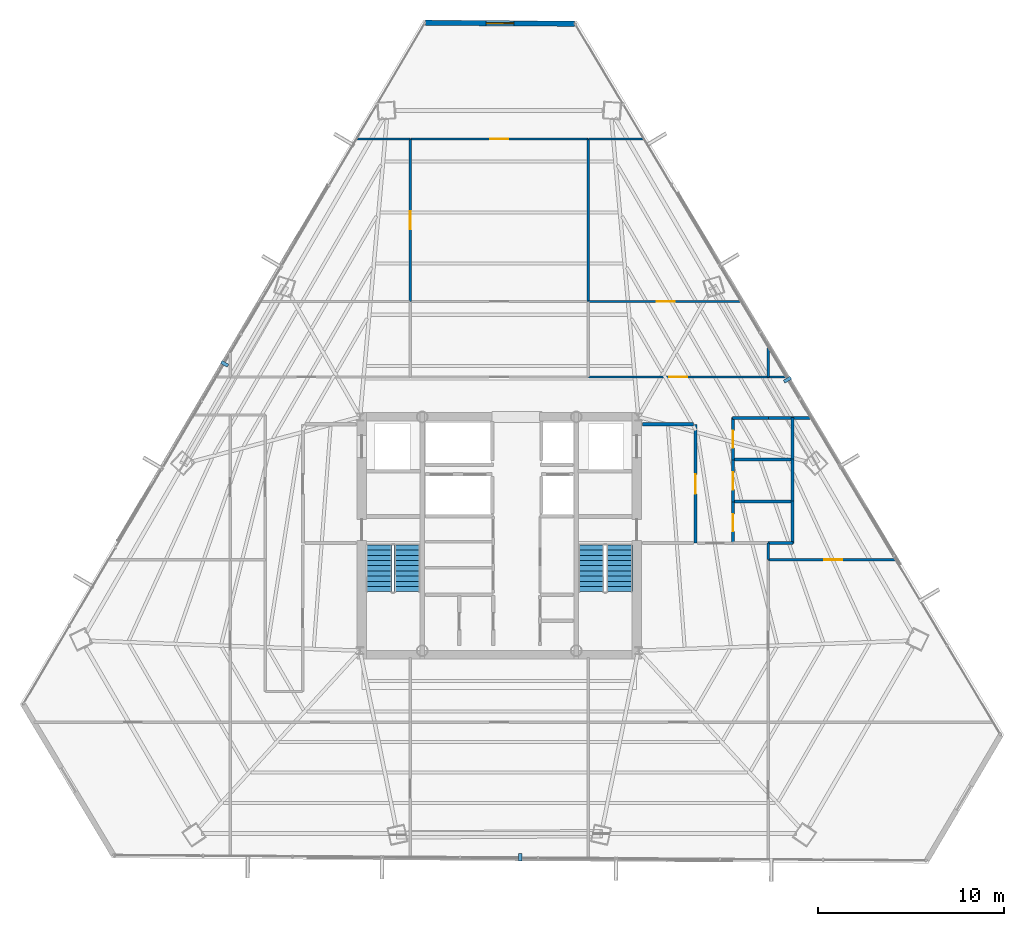
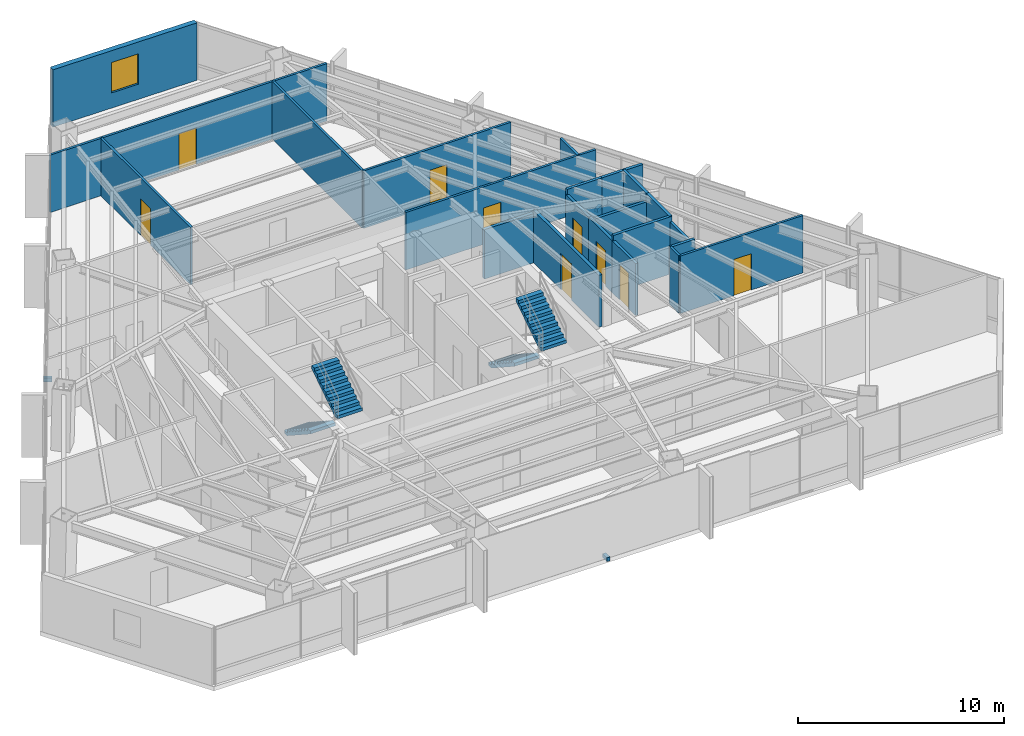
# One storey, part 38 of 41: 24 walls, 9 doors, 4 stair flights, 3 discrete accessories, 1 window, 10 openings, 2 elements without a shape of their own.
"""IFC4 building model written with IfcOpenShell, lengths in metres."""

from ifc_helpers import new_model, si_unit, direction, frame, frame_2d, origin, origin_2d, place, context, subcontext, project, spatial, polyline, rectangle, outline, extrude, source, transform, mapped, material, layer, layer_set, type_object, type_shapes, element, fill, aggregate, save


model = new_model("IFC4")

# Units and contexts
model_context = context("Model", 3, precision=1e-05, world=origin(), true_north=direction((0.0, 1.0)))
body_context = subcontext(model_context, "Body", "Model", "MODEL_VIEW")
ifc_project = project(units=[si_unit("LENGTHUNIT", "METRE"), si_unit("AREAUNIT", "SQUARE_METRE"), si_unit("VOLUMEUNIT", "CUBIC_METRE"), si_unit("PLANEANGLEUNIT", "RADIAN"), si_unit("MASSUNIT", "GRAM", prefix="KILO")], contexts=[model_context])

# Site, building, storey
site_placement = place(None, origin())
site = spatial("IfcSite", under=ifc_project, at=site_placement, CompositionType="ELEMENT")
building_placement = place(site_placement, origin())
building = spatial("IfcBuilding", under=site, at=building_placement, Name="Caelisora Broadcast Tower", CompositionType="ELEMENT")
storey_placement = place(building_placement, frame((0.0, 0.0, 162.14990234375)))
storey = spatial("IfcBuildingStorey", under=building, at=storey_placement, Name="L42", CompositionType="ELEMENT", Elevation=162.14990234375)

# Wall, opening, window
ifc_material_1 = material(Name="Insulated Terracotta Spandrel Wall System", Category="masonry")
ifc_layer_1 = layer(ifc_material_1, 0.280029296875, Name="Insulated Terracotta Spandrel Wall System")
ifc_layer_set_1 = layer_set([ifc_layer_1], Name="Insulated Terracotta Spandrel Wall System")
wall_type_1 = type_object("IfcWallType", Name="EW1", PredefinedType="STANDARD", material=ifc_layer_set_1)
wall_1_placement = place(storey_placement, frame((34.034912109375, 51.24072265625, 0.0), z_axis=(0.0, 0.0, 1.0), x_axis=(0.999979393636, -0.006419680897, 0.0)))
wall_1 = element("IfcWall", 1, at=wall_1_placement, inside=storey, type_object=wall_type_1, Name="L42 exterior envelope wall EW1", PredefinedType="STANDARD", context=body_context, shape_type="SweptSolid", body=[
    extrude(rectangle(XDim=8.0244140625, YDim=0.280029296875, at=frame_2d((4.01220703125, 0.0))), origin(), (0.0, 0.0, 1.0), 3.400146484375),
])
opening_1_placement = place(wall_1_placement, frame((3.260009765625, 0.0, 0.89990234375)))
opening_1 = element("IfcOpeningElement", 2, at=opening_1_placement, cuts=wall_1, Name="Opening W02", PredefinedType="OPENING", context=body_context, shape_type="SweptSolid", body=[
    extrude(rectangle(XDim=1.5, YDim=1.800048828125, at=frame_2d((0.75, 0.89990234375))), frame((0.0, 0.152099609375, 0.0), z_axis=(0.0, -1.0, 0.0), x_axis=(1.0, 0.0, 0.0)), (0.0, 0.0, 1.0), 0.303955078125),
])
ifc_material_2 = material(Name="Double Glazed Terracotta-Framed Vision Window", Category="glass")
window_type = type_object("IfcWindowType", Name="W02", PartitioningType="SINGLE_PANEL", PredefinedType="WINDOW", material=ifc_material_2)
window_placement = place(opening_1_placement, origin())
window = element("IfcWindow", 3, at=window_placement, inside=storey, type_object=window_type, Name="L42 window W02 (L42-WN-CH8)", OverallHeight=1.800048828125, OverallWidth=1.5, PartitioningType="SINGLE_PANEL", PredefinedType="WINDOW", context=body_context, shape_type="SweptSolid", body=[
    extrude(rectangle(XDim=1.5, YDim=1.800048828125, at=frame_2d((0.75, 0.89990234375))), frame((0.0, 0.030029296875, 0.0), z_axis=(0.0, -1.0, 0.0), x_axis=(1.0, 0.0, 0.0)), (0.0, 0.0, 1.0), 0.06005859375),
])
fill(opening_1, window)

# Wall, opening, door
ifc_material_3 = material(Name="Fire-Rated Gypsum Shaft and Compartment Wall", Category="gypsum")
ifc_layer_2 = layer(ifc_material_3, 0.179931640625, Name="Fire-Rated Gypsum Shaft and Compartment Wall")
ifc_layer_set_2 = layer_set([ifc_layer_2], Name="Fire-Rated Gypsum Shaft and Compartment Wall")
wall_type_2 = type_object("IfcWallType", Name="PW2", PredefinedType="PARTITIONING", material=ifc_layer_set_2)
wall_2_placement = place(storey_placement, frame((48.580078125, 23.199951171875, 0.0), z_axis=(0.0, 0.0, 1.0), x_axis=(0.0, 1.0, 0.0)))
wall_2 = element("IfcWall", 4, at=wall_2_placement, inside=storey, type_object=wall_type_2, Name="L42 fire compartment wall PW2", PredefinedType="PARTITIONING", context=body_context, shape_type="SweptSolid", body=[
    extrude(rectangle(XDim=6.400146484375, YDim=0.179931640625, at=frame_2d((3.2001953125, 0.0))), origin(), (0.0, 0.0, 1.0), 3.077880859375),
])
opening_2_placement = place(wall_2_placement, frame((2.64990234375, 0.0, 0.0)))
opening_2 = element("IfcOpeningElement", 5, at=opening_2_placement, cuts=wall_2, Name="Opening FD02", PredefinedType="OPENING", context=body_context, shape_type="SweptSolid", body=[
    extrude(rectangle(XDim=1.050048828125, YDim=2.14990234375, at=frame_2d((0.52490234375, 1.074951171875))), frame((0.0, 0.10205078125, 0.0), z_axis=(0.0, -1.0, 0.0), x_axis=(1.0, 0.0, 0.0)), (0.0, 0.0, 1.0), 0.203857421875),
])
ifc_material_4 = material(Name="Single-Leaf Steel Fire Lobby Door", Category="steel")
door_type_1 = type_object("IfcDoorType", Name="FD02", OperationType="NOTDEFINED", PredefinedType="DOOR", material=ifc_material_4)
door_1_placement = place(opening_2_placement, origin())
door_1 = element("IfcDoor", 6, at=door_1_placement, inside=storey, type_object=door_type_1, Name="L42 door FD02 (L42-DR-P04D1)", OperationType="SINGLE_SWING_LEFT", OverallHeight=2.14990234375, OverallWidth=1.050048828125, PredefinedType="DOOR", context=body_context, shape_type="SweptSolid", body=[
    extrude(rectangle(XDim=1.050048828125, YDim=2.14990234375, at=frame_2d((0.52490234375, 1.074951171875))), frame((0.0, 0.02490234375, 0.0), z_axis=(0.0, -1.0, 0.0), x_axis=(1.0, 0.0, 0.0)), (0.0, 0.0, 1.0), 0.050048828125),
])
fill(opening_2, door_1)

# Wall
wall_3_placement = place(storey_placement, frame((45.719970703125, 29.60009765625, 0.0), z_axis=(0.0, 0.0, 1.0), x_axis=(1.0, 0.0, 0.0)))
element("IfcWall", 7, at=wall_3_placement, inside=storey, type_object=wall_type_2, Name="L42 fire compartment wall PW2", PredefinedType="PARTITIONING", context=body_context, shape_type="SweptSolid", body=[
    extrude(rectangle(XDim=2.760009765625, YDim=0.179931640625, at=frame_2d((1.3798828125, 0.0))), origin(), (0.0, 0.0, 1.0), 2.9248046875),
])

# Wall, opening, door
ifc_material_5 = material(Name="Acoustic Steel-Stud Plasterboard Partition", Category="gypsum")
ifc_layer_3 = layer(ifc_material_5, 0.1298828125, Name="Acoustic Steel-Stud Plasterboard Partition")
ifc_layer_set_3 = layer_set([ifc_layer_3], Name="Acoustic Steel-Stud Plasterboard Partition")
wall_type_3 = type_object("IfcWallType", Name="PW3", PredefinedType="PARTITIONING", material=ifc_layer_set_3)
wall_4_placement = place(storey_placement, frame((42.804931640625, 32.14990234375, 0.0), z_axis=(0.0, 0.0, 1.0), x_axis=(1.0, 0.0, 0.0)))
wall_4 = element("IfcWall", 8, at=wall_4_placement, inside=storey, type_object=wall_type_3, Name="L42 internal partition PW3", PredefinedType="PARTITIONING", context=body_context, shape_type="SweptSolid", body=[
    extrude(rectangle(XDim=10.6591796875, YDim=0.1298828125, at=frame_2d((5.32958984375, 0.0))), origin(), (0.0, 0.0, 1.0), 3.400146484375),
])
opening_3_placement = place(wall_4_placement, frame((4.364990234375, 0.0, 0.0)))
opening_3 = element("IfcOpeningElement", 9, at=opening_3_placement, cuts=wall_4, Name="Opening D01", PredefinedType="OPENING", context=body_context, shape_type="SweptSolid", body=[
    extrude(rectangle(XDim=0.9599609375, YDim=2.14990234375, at=frame_2d((0.47998046875, 1.074951171875))), frame((0.0, 0.076904296875, 0.0), z_axis=(0.0, -1.0, 0.0), x_axis=(1.0, 0.0, 0.0)), (0.0, 0.0, 1.0), 0.15380859375),
])
ifc_material_6 = material(Name="Solid-Core Timber Acoustic Office Door", Category="wood")
door_type_2 = type_object("IfcDoorType", Name="D01", OperationType="NOTDEFINED", PredefinedType="DOOR", material=ifc_material_6)
door_2_placement = place(opening_3_placement, origin())
door_2 = element("IfcDoor", 10, at=door_2_placement, inside=storey, type_object=door_type_2, Name="L42 door D01 (L42-DR-P35D1)", OperationType="SINGLE_SWING_LEFT", OverallHeight=2.14990234375, OverallWidth=0.9599609375, PredefinedType="DOOR", context=body_context, shape_type="SweptSolid", body=[
    extrude(rectangle(XDim=0.9599609375, YDim=2.14990234375, at=frame_2d((0.47998046875, 1.074951171875))), frame((0.0, 0.02490234375, 0.0), z_axis=(0.0, -1.0, 0.0), x_axis=(1.0, 0.0, 0.0)), (0.0, 0.0, 1.0), 0.050048828125),
])
fill(opening_3, door_2)

wall_5_placement = place(storey_placement, frame((33.205078125, 44.97998046875, 0.0), z_axis=(0.0, 0.0, 1.0), x_axis=(1.0, 0.0, 0.0)))
wall_5 = element("IfcWall", 11, at=wall_5_placement, inside=storey, type_object=wall_type_3, Name="L42 internal partition PW3", PredefinedType="PARTITIONING", context=body_context, shape_type="SweptSolid", body=[
    extrude(rectangle(XDim=9.58984375, YDim=0.1298828125, at=frame_2d((4.794921875, 0.0))), origin(), (0.0, 0.0, 1.0), 3.400146484375),
])
opening_4_placement = place(wall_5_placement, frame((4.31494140625, 0.0, 0.0)))
opening_4 = element("IfcOpeningElement", 12, at=opening_4_placement, cuts=wall_5, Name="Opening D01", PredefinedType="OPENING", context=body_context, shape_type="SweptSolid", body=[
    extrude(rectangle(XDim=0.9599609375, YDim=2.14990234375, at=frame_2d((0.47998046875, 1.074951171875))), frame((0.0, 0.076904296875, 0.0), z_axis=(0.0, -1.0, 0.0), x_axis=(1.0, 0.0, 0.0)), (0.0, 0.0, 1.0), 0.15380859375),
])
door_3_placement = place(opening_4_placement, origin())
door_3 = element("IfcDoor", 13, at=door_3_placement, inside=storey, type_object=door_type_2, Name="L42 door D01 (L42-DR-P40D1)", OperationType="SINGLE_SWING_RIGHT", OverallHeight=2.14990234375, OverallWidth=0.9599609375, PredefinedType="DOOR", context=body_context, shape_type="SweptSolid", body=[
    extrude(rectangle(XDim=0.9599609375, YDim=2.14990234375, at=frame_2d((0.47998046875, 1.074951171875))), frame((0.0, 0.02490234375, 0.0), z_axis=(0.0, -1.0, 0.0), x_axis=(1.0, 0.0, 0.0)), (0.0, 0.0, 1.0), 0.050048828125),
])
fill(opening_4, door_3)

# Wall
wall_6_placement = place(storey_placement, frame((42.800048828125, 36.22509765625, 0.0), z_axis=(0.0, 0.0, 1.0), x_axis=(0.0, 1.0, 0.0)))
element("IfcWall", 14, at=wall_6_placement, inside=storey, type_object=wall_type_3, Name="L42 internal partition PW3", PredefinedType="PARTITIONING", context=body_context, shape_type="SweptSolid", body=[
    extrude(rectangle(XDim=8.75, YDim=0.1298828125, at=frame_2d((4.375, 0.0))), origin(), (0.0, 0.0, 1.0), 3.400146484375),
])

# Wall, opening, door
wall_7_placement = place(storey_placement, frame((33.199951171875, 36.22509765625, 0.0), z_axis=(0.0, 0.0, 1.0), x_axis=(0.0, 1.0, 0.0)))
wall_7 = element("IfcWall", 15, at=wall_7_placement, inside=storey, type_object=wall_type_3, Name="L42 internal partition PW3", PredefinedType="PARTITIONING", context=body_context, shape_type="SweptSolid", body=[
    extrude(rectangle(XDim=8.75, YDim=0.1298828125, at=frame_2d((4.375, 0.0))), origin(), (0.0, 0.0, 1.0), 3.400146484375),
])
opening_5_placement = place(wall_7_placement, frame((3.89501953125, 0.0, 0.0)))
opening_5 = element("IfcOpeningElement", 16, at=opening_5_placement, cuts=wall_7, Name="Opening D01", PredefinedType="OPENING", context=body_context, shape_type="SweptSolid", body=[
    extrude(rectangle(XDim=0.9599609375, YDim=2.14990234375, at=frame_2d((0.47998046875, 1.074951171875))), frame((0.0, 0.076904296875, 0.0), z_axis=(0.0, -1.0, 0.0), x_axis=(1.0, 0.0, 0.0)), (0.0, 0.0, 1.0), 0.15380859375),
])
door_4_placement = place(opening_5_placement, origin())
door_4 = element("IfcDoor", 17, at=door_4_placement, inside=storey, type_object=door_type_2, Name="L42 door D01 (L42-DR-P45D1)", OperationType="SINGLE_SWING_RIGHT", OverallHeight=2.14990234375, OverallWidth=0.9599609375, PredefinedType="DOOR", context=body_context, shape_type="SweptSolid", body=[
    extrude(rectangle(XDim=0.9599609375, YDim=2.14990234375, at=frame_2d((0.47998046875, 1.074951171875))), frame((0.0, 0.02490234375, 0.0), z_axis=(0.0, -1.0, 0.0), x_axis=(1.0, 0.0, 0.0)), (0.0, 0.0, 1.0), 0.050048828125),
])
fill(opening_5, door_4)

wall_8_placement = place(storey_placement, frame((42.804931640625, 36.219970703125, 0.0), z_axis=(0.0, 0.0, 1.0), x_axis=(1.0, 0.0, 0.0)))
wall_8 = element("IfcWall", 18, at=wall_8_placement, inside=storey, type_object=wall_type_3, Name="L42 internal partition PW3", PredefinedType="PARTITIONING", context=body_context, shape_type="SweptSolid", body=[
    extrude(rectangle(XDim=8.248779296875, YDim=0.1298828125, at=frame_2d((4.12451171875, 0.0))), origin(), (0.0, 0.0, 1.0), 3.400146484375),
])
opening_6_placement = place(wall_8_placement, frame((3.697021484375, 0.0, 0.0)))
opening_6 = element("IfcOpeningElement", 19, at=opening_6_placement, cuts=wall_8, Name="Opening D01", PredefinedType="OPENING", context=body_context, shape_type="SweptSolid", body=[
    extrude(rectangle(XDim=0.9599609375, YDim=2.14990234375, at=frame_2d((0.47998046875, 1.074951171875))), frame((0.0, 0.076904296875, 0.0), z_axis=(0.0, -1.0, 0.0), x_axis=(1.0, 0.0, 0.0)), (0.0, 0.0, 1.0), 0.15380859375),
])
door_5_placement = place(opening_6_placement, origin())
door_5 = element("IfcDoor", 20, at=door_5_placement, inside=storey, type_object=door_type_2, Name="L42 door D01 (L42-DR-P46D1)", OperationType="SINGLE_SWING_LEFT", OverallHeight=2.14990234375, OverallWidth=0.9599609375, PredefinedType="DOOR", context=body_context, shape_type="SweptSolid", body=[
    extrude(rectangle(XDim=0.9599609375, YDim=2.14990234375, at=frame_2d((0.47998046875, 1.074951171875))), frame((0.0, 0.02490234375, 0.0), z_axis=(0.0, -1.0, 0.0), x_axis=(1.0, 0.0, 0.0)), (0.0, 0.0, 1.0), 0.050048828125),
])
fill(opening_6, door_5)

wall_9_placement = place(storey_placement, frame((52.5048828125, 22.31005859375, 0.0), z_axis=(0.0, 0.0, 1.0), x_axis=(1.0, 0.0, 0.0)))
wall_9 = element("IfcWall", 21, at=wall_9_placement, inside=storey, type_object=wall_type_3, Name="L42 internal partition PW3", PredefinedType="PARTITIONING", context=body_context, shape_type="SweptSolid", body=[
    extrude(rectangle(XDim=6.87451171875, YDim=0.1298828125, at=frame_2d((3.437255859375, 0.0))), origin(), (0.0, 0.0, 1.0), 3.400146484375),
])
opening_7_placement = place(wall_9_placement, frame((3.011962890625, 0.0, 0.0)))
opening_7 = element("IfcOpeningElement", 22, at=opening_7_placement, cuts=wall_9, Name="Opening D01", PredefinedType="OPENING", context=body_context, shape_type="SweptSolid", body=[
    extrude(rectangle(XDim=0.9599609375, YDim=2.14990234375, at=frame_2d((0.47998046875, 1.074951171875))), frame((0.0, 0.076904296875, 0.0), z_axis=(0.0, -1.0, 0.0), x_axis=(1.0, 0.0, 0.0)), (0.0, 0.0, 1.0), 0.15380859375),
])
door_6_placement = place(opening_7_placement, origin())
door_6 = element("IfcDoor", 23, at=door_6_placement, inside=storey, type_object=door_type_2, Name="L42 door D01 (L42-DR-P57D1)", OperationType="SINGLE_SWING_LEFT", OverallHeight=2.14990234375, OverallWidth=0.9599609375, PredefinedType="DOOR", context=body_context, shape_type="SweptSolid", body=[
    extrude(rectangle(XDim=0.9599609375, YDim=2.14990234375, at=frame_2d((0.47998046875, 1.074951171875))), frame((0.0, 0.02490234375, 0.0), z_axis=(0.0, -1.0, 0.0), x_axis=(1.0, 0.0, 0.0)), (0.0, 0.0, 1.0), 0.050048828125),
])
fill(opening_7, door_6)

# Walls
wall_10_placement = place(storey_placement, frame((42.804931640625, 44.97998046875, 0.0), z_axis=(0.0, 0.0, 1.0), x_axis=(1.0, 0.0, 0.0)))
element("IfcWall", 24, at=wall_10_placement, inside=storey, type_object=wall_type_3, Name="L42 internal partition PW3", PredefinedType="PARTITIONING", context=body_context, shape_type="SweptSolid", body=[
    extrude(rectangle(XDim=3.005615234375, YDim=0.1298828125, at=frame_2d((1.5029296875, 0.0))), origin(), (0.0, 0.0, 1.0), 3.400146484375),
])
wall_11_placement = place(storey_placement, frame((30.307373046875, 44.97998046875, 0.0), z_axis=(0.0, 0.0, 1.0), x_axis=(1.0, 0.0, 0.0)))
element("IfcWall", 25, at=wall_11_placement, inside=storey, type_object=wall_type_3, Name="L42 internal partition PW3", PredefinedType="PARTITIONING", context=body_context, shape_type="SweptSolid", body=[
    extrude(rectangle(XDim=2.8876953125, YDim=0.1298828125, at=frame_2d((1.44384765625, 0.0))), origin(), (0.0, 0.0, 1.0), 3.400146484375),
])
wall_12_placement = place(storey_placement, frame((52.5, 32.155029296875, 0.0), z_axis=(0.0, 0.0, 1.0), x_axis=(0.0, 1.0, 0.0)))
element("IfcWall", 26, at=wall_12_placement, inside=storey, type_object=wall_type_3, Name="L42 internal partition PW3", PredefinedType="PARTITIONING", context=body_context, shape_type="SweptSolid", body=[
    extrude(rectangle(XDim=1.648681640625, YDim=0.1298828125, at=frame_2d((0.82421875, 0.0))), origin(), (0.0, 0.0, 1.0), 3.400146484375),
])
wall_13_placement = place(storey_placement, frame((52.5, 22.31494140625, 0.0), z_axis=(0.0, 0.0, 1.0), x_axis=(0.0, 1.0, 0.0)))
element("IfcWall", 27, at=wall_13_placement, inside=storey, type_object=wall_type_3, Name="L42 internal partition PW3", PredefinedType="PARTITIONING", context=body_context, shape_type="SweptSolid", body=[
    extrude(rectangle(XDim=0.880126953125, YDim=0.1298828125, at=frame_2d((0.43994140625, 0.0))), origin(), (0.0, 0.0, 1.0), 3.400146484375),
])
ifc_material_7 = material(Name="Moisture-Resistant Wet Plumbing Service Wall", Category="gypsum")
ifc_layer_4 = layer(ifc_material_7, 0.159912109375, Name="Moisture-Resistant Wet Plumbing Service Wall")
ifc_layer_set_4 = layer_set([ifc_layer_4], Name="Moisture-Resistant Wet Plumbing Service Wall")
wall_type_4 = type_object("IfcWallType", Name="PW4", PredefinedType="PLUMBINGWALL", material=ifc_layer_set_4)
wall_14_placement = place(storey_placement, frame((50.574951171875, 25.449951171875, 0.0), z_axis=(0.0, 0.0, 1.0), x_axis=(1.0, 0.0, 0.0)))
element("IfcWall", 28, at=wall_14_placement, inside=storey, type_object=wall_type_4, Name="L42 wet plumbing wall PW4", PredefinedType="PLUMBINGWALL", context=body_context, shape_type="SweptSolid", body=[
    extrude(rectangle(XDim=3.25, YDim=0.159912109375, at=frame_2d((1.625, 0.0))), origin(), (0.0, 0.0, 1.0), 3.400146484375),
])
wall_15_placement = place(storey_placement, frame((50.574951171875, 27.699951171875, 0.0), z_axis=(0.0, 0.0, 1.0), x_axis=(1.0, 0.0, 0.0)))
element("IfcWall", 29, at=wall_15_placement, inside=storey, type_object=wall_type_4, Name="L42 wet plumbing wall PW4", PredefinedType="PLUMBINGWALL", context=body_context, shape_type="SweptSolid", body=[
    extrude(rectangle(XDim=3.25, YDim=0.159912109375, at=frame_2d((1.625, 0.0))), origin(), (0.0, 0.0, 1.0), 2.9248046875),
])

# Wall, opening, door
wall_16_placement = place(storey_placement, frame((50.60009765625, 27.675048828125, 0.0), z_axis=(0.0, 0.0, 1.0), x_axis=(0.0, 1.0, 0.0)))
wall_16 = element("IfcWall", 30, at=wall_16_placement, inside=storey, type_object=wall_type_4, Name="L42 wet plumbing wall PW4", PredefinedType="PLUMBINGWALL", context=body_context, shape_type="SweptSolid", body=[
    extrude(rectangle(XDim=2.300048828125, YDim=0.159912109375, at=frame_2d((1.14990234375, 0.0))), origin(), (0.0, 0.0, 1.0), 3.077880859375),
])
opening_8_placement = place(wall_16_placement, frame((0.659912109375, 0.0, 0.0)))
opening_8 = element("IfcOpeningElement", 31, at=opening_8_placement, cuts=wall_16, Name="Opening D03", PredefinedType="OPENING", context=body_context, shape_type="SweptSolid", body=[
    extrude(rectangle(XDim=0.919921875, YDim=2.10009765625, at=frame_2d((0.4599609375, 1.050048828125))), frame((0.0, 0.092041015625, 0.0), z_axis=(0.0, -1.0, 0.0), x_axis=(1.0, 0.0, 0.0)), (0.0, 0.0, 1.0), 0.183837890625),
])
ifc_material_8 = material(Name="Laminate Moisture-Resistant Amenity WC Door", Category="wood")
door_type_3 = type_object("IfcDoorType", Name="D03", OperationType="NOTDEFINED", PredefinedType="DOOR", material=ifc_material_8)
door_7_placement = place(opening_8_placement, origin())
door_7 = element("IfcDoor", 32, at=door_7_placement, inside=storey, type_object=door_type_3, Name="L42 door D03 (L42-DR-P21D1)", OperationType="SINGLE_SWING_RIGHT", OverallHeight=2.10009765625, OverallWidth=0.919921875, PredefinedType="DOOR", context=body_context, shape_type="SweptSolid", body=[
    extrude(rectangle(XDim=0.919921875, YDim=2.10009765625, at=frame_2d((0.4599609375, 1.050048828125))), frame((0.0, 0.02490234375, 0.0), z_axis=(0.0, -1.0, 0.0), x_axis=(1.0, 0.0, 0.0)), (0.0, 0.0, 1.0), 0.050048828125),
])
fill(opening_8, door_7)

wall_17_placement = place(storey_placement, frame((50.60009765625, 25.425048828125, 0.0), z_axis=(0.0, 0.0, 1.0), x_axis=(0.0, 1.0, 0.0)))
wall_17 = element("IfcWall", 33, at=wall_17_placement, inside=storey, type_object=wall_type_4, Name="L42 wet plumbing wall PW4", PredefinedType="PLUMBINGWALL", context=body_context, shape_type="SweptSolid", body=[
    extrude(rectangle(XDim=2.300048828125, YDim=0.159912109375, at=frame_2d((1.14990234375, 0.0))), origin(), (0.0, 0.0, 1.0), 3.077880859375),
])
opening_9_placement = place(wall_17_placement, frame((0.659912109375, 0.0, 0.0)))
opening_9 = element("IfcOpeningElement", 34, at=opening_9_placement, cuts=wall_17, Name="Opening D03", PredefinedType="OPENING", context=body_context, shape_type="SweptSolid", body=[
    extrude(rectangle(XDim=0.919921875, YDim=2.10009765625, at=frame_2d((0.4599609375, 1.050048828125))), frame((0.0, 0.092041015625, 0.0), z_axis=(0.0, -1.0, 0.0), x_axis=(1.0, 0.0, 0.0)), (0.0, 0.0, 1.0), 0.183837890625),
])
door_8_placement = place(opening_9_placement, origin())
door_8 = element("IfcDoor", 35, at=door_8_placement, inside=storey, type_object=door_type_3, Name="L42 door D03 (L42-DR-P22D1)", OperationType="SINGLE_SWING_LEFT", OverallHeight=2.10009765625, OverallWidth=0.919921875, PredefinedType="DOOR", context=body_context, shape_type="SweptSolid", body=[
    extrude(rectangle(XDim=0.919921875, YDim=2.10009765625, at=frame_2d((0.4599609375, 1.050048828125))), frame((0.0, 0.02490234375, 0.0), z_axis=(0.0, -1.0, 0.0), x_axis=(1.0, 0.0, 0.0)), (0.0, 0.0, 1.0), 0.050048828125),
])
fill(opening_9, door_8)

wall_18_placement = place(storey_placement, frame((50.60009765625, 23.175048828125, 0.0), z_axis=(0.0, 0.0, 1.0), x_axis=(0.0, 1.0, 0.0)))
wall_18 = element("IfcWall", 36, at=wall_18_placement, inside=storey, type_object=wall_type_4, Name="L42 wet plumbing wall PW4", PredefinedType="PLUMBINGWALL", context=body_context, shape_type="SweptSolid", body=[
    extrude(rectangle(XDim=2.300048828125, YDim=0.159912109375, at=frame_2d((1.14990234375, 0.0))), origin(), (0.0, 0.0, 1.0), 3.077880859375),
])
opening_10_placement = place(wall_18_placement, frame((0.659912109375, 0.0, 0.0)))
opening_10 = element("IfcOpeningElement", 37, at=opening_10_placement, cuts=wall_18, Name="Opening D03", PredefinedType="OPENING", context=body_context, shape_type="SweptSolid", body=[
    extrude(rectangle(XDim=0.919921875, YDim=2.10009765625, at=frame_2d((0.4599609375, 1.050048828125))), frame((0.0, 0.092041015625, 0.0), z_axis=(0.0, -1.0, 0.0), x_axis=(1.0, 0.0, 0.0)), (0.0, 0.0, 1.0), 0.183837890625),
])
door_9_placement = place(opening_10_placement, origin())
door_9 = element("IfcDoor", 38, at=door_9_placement, inside=storey, type_object=door_type_3, Name="L42 door D03 (L42-DR-P23D1)", OperationType="SINGLE_SWING_RIGHT", OverallHeight=2.10009765625, OverallWidth=0.919921875, PredefinedType="DOOR", context=body_context, shape_type="SweptSolid", body=[
    extrude(rectangle(XDim=0.919921875, YDim=2.10009765625, at=frame_2d((0.4599609375, 1.050048828125))), frame((0.0, 0.02490234375, 0.0), z_axis=(0.0, -1.0, 0.0), x_axis=(1.0, 0.0, 0.0)), (0.0, 0.0, 1.0), 0.050048828125),
])
fill(opening_10, door_9)

# Walls
wall_19_placement = place(storey_placement, frame((53.800048828125, 23.175048828125, 0.0), z_axis=(0.0, 0.0, 1.0), x_axis=(0.0, 1.0, 0.0)))
element("IfcWall", 39, at=wall_19_placement, inside=storey, type_object=wall_type_4, Name="L42 wet plumbing wall PW4", PredefinedType="PLUMBINGWALL", context=body_context, shape_type="SweptSolid", body=[
    extrude(rectangle(XDim=2.300048828125, YDim=0.159912109375, at=frame_2d((1.14990234375, 0.0))), origin(), (0.0, 0.0, 1.0), 3.077880859375),
])
for number, where, z_axis, x_axis, name in (
    (40, (53.800048828125, 25.425048828125, 0.0), (0.0, 0.0, 1.0), (0.0, 1.0, 0.0), "L42 wet plumbing wall PW4"),
    (41, (53.800048828125, 27.675048828125, 0.0), (0.0, 0.0, 1.0), (0.0, 1.0, 0.0), "L42 wet plumbing wall PW4"),
):
    element("IfcWall", number, at=place(storey_placement, frame(where, z_axis=z_axis, x_axis=x_axis)), inside=storey, type_object=wall_type_4, Name=name, PredefinedType="PLUMBINGWALL", context=body_context, shape_type="SweptSolid", body=[
        extrude(rectangle(XDim=2.300048828125, YDim=0.159912109375, at=frame_2d((1.14990234375, 0.0))), origin(), (0.0, 0.0, 1.0), 3.400146484375),
    ])
wall_20_placement = place(storey_placement, frame((50.574951171875, 29.949951171875, 0.0), z_axis=(0.0, 0.0, 1.0), x_axis=(1.0, 0.0, 0.0)))
element("IfcWall", 42, at=wall_20_placement, inside=storey, type_object=wall_type_4, Name="L42 wet plumbing wall PW4", PredefinedType="PLUMBINGWALL", context=body_context, shape_type="SweptSolid", body=[
    extrude(rectangle(XDim=1.949951171875, YDim=0.159912109375, at=frame_2d((0.97509765625, 0.0))), origin(), (0.0, 0.0, 1.0), 3.400146484375),
])
wall_21_placement = place(storey_placement, frame((52.47509765625, 23.199951171875, 0.0), z_axis=(0.0, 0.0, 1.0), x_axis=(1.0, 0.0, 0.0)))
element("IfcWall", 43, at=wall_21_placement, inside=storey, type_object=wall_type_4, Name="L42 wet plumbing wall PW4", PredefinedType="PLUMBINGWALL", context=body_context, shape_type="SweptSolid", body=[
    extrude(rectangle(XDim=1.349853515625, YDim=0.159912109375, at=frame_2d((0.6748046875, 0.0))), origin(), (0.0, 0.0, 1.0), 3.400146484375),
])
wall_22_placement = place(storey_placement, frame((54.810791015625, 29.949951171875, 0.0), z_axis=(0.0, 0.0, 1.0), x_axis=(-1.0, 0.0, 0.0)))
element("IfcWall", 44, at=wall_22_placement, inside=storey, type_object=wall_type_4, Name="L42 wet plumbing wall PW4", PredefinedType="PLUMBINGWALL", context=body_context, shape_type="SweptSolid", body=[
    extrude(rectangle(XDim=2.335693359375, YDim=0.159912109375, at=frame_2d((1.16796875, 0.0))), origin(), (0.0, 0.0, 1.0), 3.400146484375),
])

# Stair, stair flights
ifc_material_9 = material(Name="Concrete 40 MPa (AS 3600 N40)", Category="concrete")
stair_type_1 = type_object("IfcStairType", Name="ST-1", PredefinedType="HALF_TURN_STAIR", material=ifc_material_9)
stair_1_placement = place(storey_placement, origin())
stair_1 = element("IfcStair", 45, at=stair_1_placement, inside=storey, type_object=stair_type_1, Name="L42 West Fire-Isolated Tower Stair", PredefinedType="HALF_TURN_STAIR")
stair_flight_type = type_object("IfcStairFlightType", Name="STF-3", PredefinedType="STRAIGHT", material=ifc_material_9)
stair_flight_1_placement = place(storey_placement, frame((31.52001953125, 23.10009765625, 0.0), z_axis=(0.0, 0.0, 1.0), x_axis=(0.0, -1.0, 0.0)))
stair_flight_1 = element("IfcStairFlight", 46, at=stair_flight_1_placement, type_object=stair_flight_type, Name="ST-1 flight 1", NumberOfRisers=10, NumberOfTreads=9, PredefinedType="STRAIGHT", RiserHeight=0.1825, TreadLength=0.28, context=body_context, shape_type="SweptSolid", body=[
    extrude(outline(polyline([(0.0, 0.0), (0.0, 0.1826171875), (0.280029296875, 0.1826171875), (0.280029296875, 0.364990234375), (0.56005859375, 0.364990234375), (0.56005859375, 0.547607421875), (0.840087890625, 0.547607421875), (0.840087890625, 0.72998046875), (1.1201171875, 0.72998046875), (1.1201171875, 0.91259765625), (1.39990234375, 0.91259765625), (1.39990234375, 1.094970703125), (1.679931640625, 1.094970703125), (1.679931640625, 1.277587890625), (1.9599609375, 1.277587890625), (1.9599609375, 1.4599609375), (2.239990234375, 1.4599609375), (2.239990234375, 1.642578125), (2.52001953125, 1.642578125), (2.52001953125, 1.824951171875), (2.52001953125, 1.463623046875), (0.2744140625, 0.0), (0.0, 0.0)])), frame((0.0, 0.699951171875, 0.0), z_axis=(0.0, -1.0, 0.0), x_axis=(1.0, 0.0, 0.0)), (0.0, 0.0, 1.0), 1.39990234375),
])
stair_flight_2_placement = place(storey_placement, frame((33.0400390625, 20.580078125, 1.8251953125), z_axis=(0.0, 0.0, 1.0), x_axis=(0.0, 1.0, 0.0)))
stair_flight_2 = element("IfcStairFlight", 47, at=stair_flight_2_placement, type_object=stair_flight_type, Name="ST-1 flight 2", NumberOfRisers=10, NumberOfTreads=9, PredefinedType="STRAIGHT", RiserHeight=0.1825, TreadLength=0.28, context=body_context, shape_type="SweptSolid", body=[
    extrude(outline(polyline([(0.0, 0.0), (0.0, 0.1826171875), (0.280029296875, 0.1826171875), (0.280029296875, 0.364990234375), (0.56005859375, 0.364990234375), (0.56005859375, 0.547607421875), (0.840087890625, 0.547607421875), (0.840087890625, 0.72998046875), (1.1201171875, 0.72998046875), (1.1201171875, 0.91259765625), (1.39990234375, 0.91259765625), (1.39990234375, 1.094970703125), (1.679931640625, 1.094970703125), (1.679931640625, 1.277587890625), (1.9599609375, 1.277587890625), (1.9599609375, 1.4599609375), (2.239990234375, 1.4599609375), (2.239990234375, 1.642578125), (2.52001953125, 1.642578125), (2.52001953125, 1.824951171875), (2.52001953125, 1.463623046875), (0.2744140625, 0.0), (0.0, 0.0)])), frame((0.0, 0.699951171875, 0.0), z_axis=(0.0, -1.0, 0.0), x_axis=(1.0, 0.0, 0.0)), (0.0, 0.0, 1.0), 1.39990234375),
])
aggregate(stair_1, [stair_flight_1, stair_flight_2])

stair_type_2 = type_object("IfcStairType", Name="ST-2", PredefinedType="HALF_TURN_STAIR", material=ifc_material_9)
stair_2_placement = place(storey_placement, origin())
stair_2 = element("IfcStair", 48, at=stair_2_placement, inside=storey, type_object=stair_type_2, Name="L42 East Fire-Isolated Tower Stair", PredefinedType="HALF_TURN_STAIR")
stair_flight_3_placement = place(storey_placement, frame((42.9599609375, 23.10009765625, 0.0), z_axis=(0.0, 0.0, 1.0), x_axis=(0.0, -1.0, 0.0)))
stair_flight_3 = element("IfcStairFlight", 49, at=stair_flight_3_placement, type_object=stair_flight_type, Name="ST-2 flight 1", NumberOfRisers=10, NumberOfTreads=9, PredefinedType="STRAIGHT", RiserHeight=0.1825, TreadLength=0.28, context=body_context, shape_type="SweptSolid", body=[
    extrude(outline(polyline([(0.0, 0.0), (0.0, 0.1826171875), (0.280029296875, 0.1826171875), (0.280029296875, 0.364990234375), (0.56005859375, 0.364990234375), (0.56005859375, 0.547607421875), (0.840087890625, 0.547607421875), (0.840087890625, 0.72998046875), (1.1201171875, 0.72998046875), (1.1201171875, 0.91259765625), (1.39990234375, 0.91259765625), (1.39990234375, 1.094970703125), (1.679931640625, 1.094970703125), (1.679931640625, 1.277587890625), (1.9599609375, 1.277587890625), (1.9599609375, 1.4599609375), (2.239990234375, 1.4599609375), (2.239990234375, 1.642578125), (2.52001953125, 1.642578125), (2.52001953125, 1.824951171875), (2.52001953125, 1.463623046875), (0.2744140625, 0.0), (0.0, 0.0)])), frame((0.0, 0.699951171875, 0.0), z_axis=(0.0, -1.0, 0.0), x_axis=(1.0, 0.0, 0.0)), (0.0, 0.0, 1.0), 1.39990234375),
])
stair_flight_4_placement = place(storey_placement, frame((44.47998046875, 20.580078125, 1.8251953125), z_axis=(0.0, 0.0, 1.0), x_axis=(0.0, 1.0, 0.0)))
stair_flight_4 = element("IfcStairFlight", 50, at=stair_flight_4_placement, type_object=stair_flight_type, Name="ST-2 flight 2", NumberOfRisers=10, NumberOfTreads=9, PredefinedType="STRAIGHT", RiserHeight=0.1825, TreadLength=0.28, context=body_context, shape_type="SweptSolid", body=[
    extrude(outline(polyline([(0.0, 0.0), (0.0, 0.1826171875), (0.280029296875, 0.1826171875), (0.280029296875, 0.364990234375), (0.56005859375, 0.364990234375), (0.56005859375, 0.547607421875), (0.840087890625, 0.547607421875), (0.840087890625, 0.72998046875), (1.1201171875, 0.72998046875), (1.1201171875, 0.91259765625), (1.39990234375, 0.91259765625), (1.39990234375, 1.094970703125), (1.679931640625, 1.094970703125), (1.679931640625, 1.277587890625), (1.9599609375, 1.277587890625), (1.9599609375, 1.4599609375), (2.239990234375, 1.4599609375), (2.239990234375, 1.642578125), (2.52001953125, 1.642578125), (2.52001953125, 1.824951171875), (2.52001953125, 1.463623046875), (0.2744140625, 0.0), (0.0, 0.0)])), frame((0.0, 0.699951171875, 0.0), z_axis=(0.0, -1.0, 0.0), x_axis=(1.0, 0.0, 0.0)), (0.0, 0.0, 1.0), 1.39990234375),
])
aggregate(stair_2, [stair_flight_3, stair_flight_4])

# Discrete accessories
ifc_material_10 = material(Name="Steel Grade 350 (AS/NZS 3679.1)", Category="steel")
discrete_accessory_type = type_object("IfcDiscreteAccessoryType", Name="BRK-1", PredefinedType="BRACKET", material=ifc_material_10)
shared_shape = source(origin(), body_context, "Body", "SweptSolid", [
    extrude(rectangle(XDim=0.179931640625, YDim=0.419921875, at=origin_2d()), origin(), (0.0, 0.0, 1.0), 0.219970703125),
])
type_shapes(discrete_accessory_type, [shared_shape])
for number, where, z_axis, x_axis, name in (
    (51, (23.20068359375, 32.859130859375, -0.15966796875), (0.0, 0.0, 1.0), (-0.507989441341, -0.861363295878, 0.0), "L42 solar screen outrigger bracket #1"),
    (52, (39.129150390625, 6.260986328125, -0.15966796875), (0.0, 0.0, 1.0), (0.999978006703, -0.006632202536, 0.0), "L42 solar screen outrigger bracket #2"),
    (53, (53.5361328125, 32.004638671875, -0.15966796875), (0.0, 0.0, 1.0), (-0.513541252058, 0.858064905724, 0.0), "L42 solar screen outrigger bracket #3"),
):
    element("IfcDiscreteAccessory", number, at=place(storey_placement, frame(where, z_axis=z_axis, x_axis=x_axis)), inside=storey, type_object=discrete_accessory_type, Name=name, PredefinedType="BRACKET", context=body_context, shape_type="MappedRepresentation", body=[
        mapped(shared_shape, transform((0.0, 0.0, 0.0), scale=1.0)),
    ])

save(model, "model.ifc")
